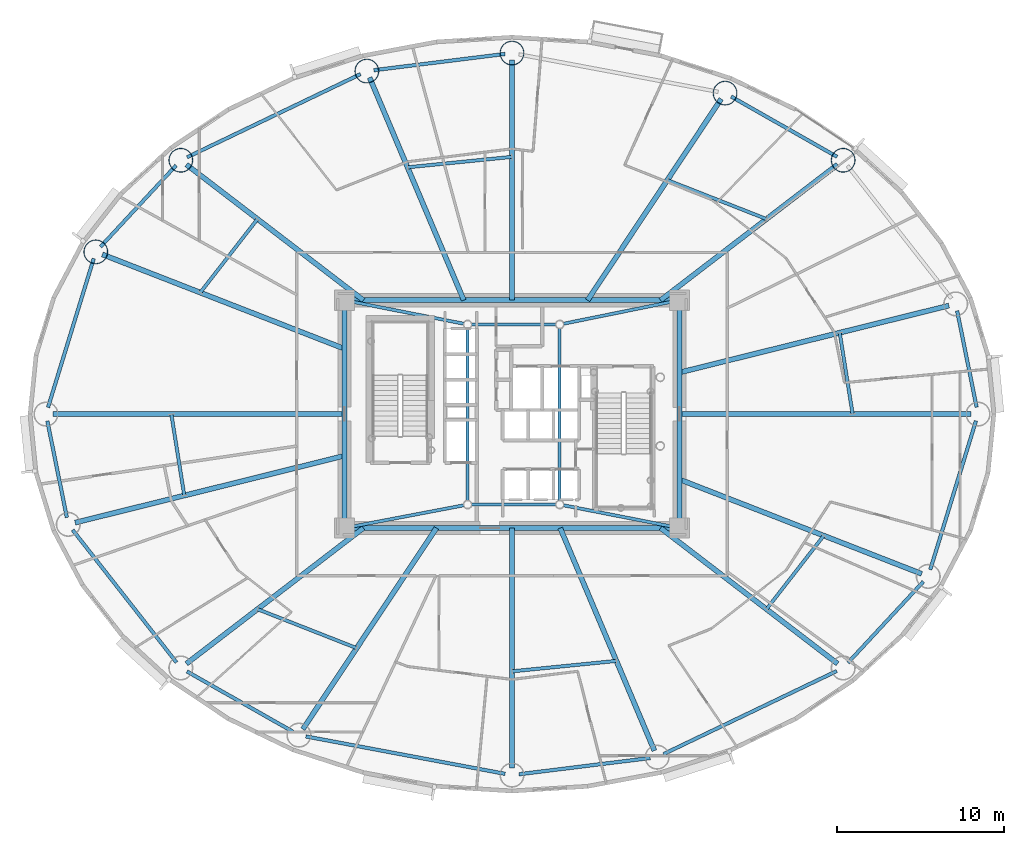
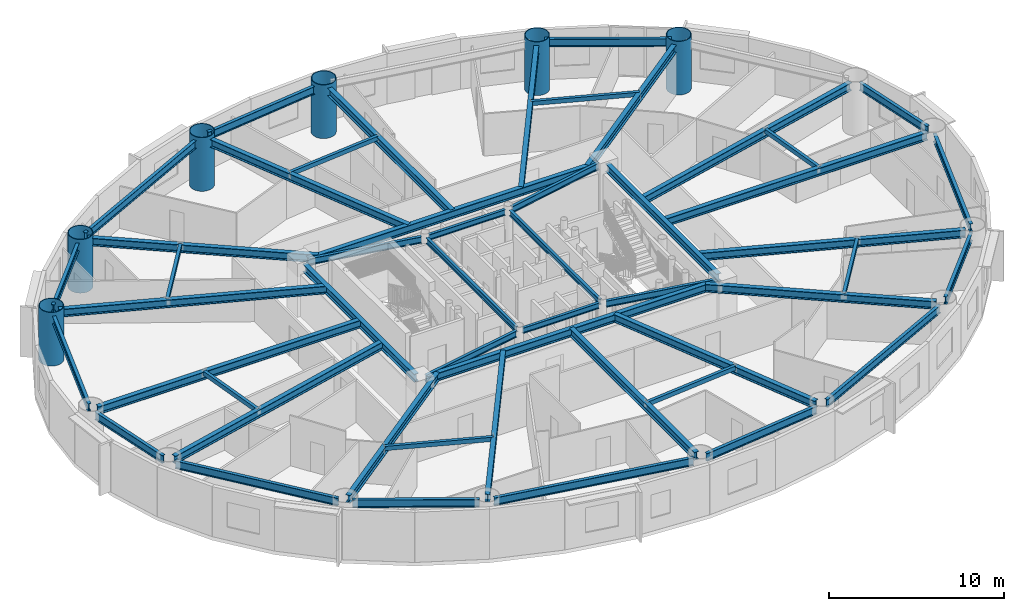
# One storey, part 3 of 21: 50 beams, 6 columns.
"""IFC4 building model written with IfcOpenShell, lengths in metres."""

from ifc_helpers import new_model, si_unit, direction, frame, origin, origin_2d, place, context, subcontext, project, spatial, hollow_rectangle, hollow_circle, i_section, extrude, material, material_profile, profile_set, type_object, element, save


model = new_model("IFC4")

# Units and contexts
model_context = context("Model", 3, precision=1e-05, world=origin(), true_north=direction((0.0, 1.0)))
body_context = subcontext(model_context, "Body", "Model", "MODEL_VIEW")
ifc_project = project(units=[si_unit("LENGTHUNIT", "METRE"), si_unit("AREAUNIT", "SQUARE_METRE"), si_unit("VOLUMEUNIT", "CUBIC_METRE"), si_unit("PLANEANGLEUNIT", "RADIAN"), si_unit("MASSUNIT", "GRAM", prefix="KILO")], contexts=[model_context])

# Site, building, storey
site_placement = place(None, origin())
site = spatial("IfcSite", under=ifc_project, at=site_placement, CompositionType="ELEMENT")
building_placement = place(site_placement, origin())
building = spatial("IfcBuilding", under=site, at=building_placement, Name="Linh Dai School and Residence Tower", CompositionType="ELEMENT")
storey_placement = place(building_placement, frame((0.0, 0.0, 134.699951171875)))
storey = spatial("IfcBuildingStorey", under=building, at=storey_placement, Name="L32", CompositionType="ELEMENT", Elevation=134.699951171875)

# Columns
ifc_material = material(Name="Structural Steel S355JR", Category="steel")
ifc_material_profile_1 = material_profile(ifc_material, hollow_circle(Radius=0.72509765625, WallThickness=0.0419921875, at=origin_2d()), Name="CHS 1450x42")
ifc_profile_set_1 = profile_set([ifc_material_profile_1], Name="Structural Steel S355JR")
column_type = type_object("IfcColumnType", Name="COL-MC3", PredefinedType="COLUMN", material=ifc_profile_set_1)
for number, where, z_axis, x_axis, name in (
    (1, (55.772705078125, 42.155517578125, 0.0), (0.0, 0.0, 1.0), (1.0, 0.0, 0.0), "L32 Perimeter CFT Mega-Column MC03"),
    (2, (48.721923828125, 46.1650390625, 0.0), (0.0, 0.0, 1.0), (1.0, 0.0, 0.0), "L32 Perimeter CFT Mega-Column MC04"),
    (3, (36.0, 48.554931640625, 0.0), (0.0, 0.0, 1.0), (1.0, 0.0, 0.0), "L32 Perimeter CFT Mega-Column MC05"),
    (4, (27.33447265625, 47.480712890625, 0.0), (0.0, 0.0, 1.0), (1.0, 0.0, 0.0), "L32 Perimeter CFT Mega-Column MC06"),
    (5, (16.227294921875, 42.155517578125, 0.0), (0.0, 0.0, 1.0), (1.0, 0.0, 0.0), "L32 Perimeter CFT Mega-Column MC07"),
    (6, (11.15087890625, 36.6875, 0.0), (0.0, 0.0, 1.0), (1.0, 0.0, 0.0), "L32 Perimeter CFT Mega-Column MC08"),
):
    element("IfcColumn", number, at=place(storey_placement, frame(where, z_axis=z_axis, x_axis=x_axis)), inside=storey, type_object=column_type, Name=name, PredefinedType="COLUMN", context=body_context, shape_type="SweptSolid", body=[
        extrude(hollow_circle(Radius=0.72509765625, WallThickness=0.0419921875, at=origin_2d()), origin(), (0.0, 0.0, 1.0), 3.75),
    ])

# Beams
ifc_material_profile_2 = material_profile(ifc_material, hollow_rectangle(XDim=0.199951171875, YDim=0.300048828125, WallThickness=0.010009765625, at=origin_2d()), Name="RHS 300x200x10")
ifc_profile_set_2 = profile_set([ifc_material_profile_2], Name="Structural Steel S355JR")
beam_type_1 = type_object("IfcBeamType", Name="BM-BX3", PredefinedType="BEAM", material=ifc_profile_set_2)
beam_1_placement = place(storey_placement, frame((56.337646484375, 27.0048828125, 3.35009765625), z_axis=(-0.157026901302, 0.987594325757, 0.0), x_axis=(-0.987594325757, -0.157026901302, 0.0)))
element("IfcBeam", 7, at=beam_1_placement, inside=storey, type_object=beam_type_1, Name="L32 Secondary Circumferential Floor Beam 01", PredefinedType="BEAM", context=body_context, shape_type="SweptSolid", body=[
    extrude(hollow_rectangle(XDim=0.199951171875, YDim=0.300048828125, WallThickness=0.010009765625, at=origin_2d()), origin(), (0.0, 0.0, 1.0), 4.91162109375),
])
beam_2_placement = place(storey_placement, frame((51.189453125, 38.64794921875, 3.35009765625), z_axis=(-0.930742146732, 0.365676163151, 0.0), x_axis=(-0.365676163151, -0.930742146732, 0.0)))
element("IfcBeam", 8, at=beam_2_placement, inside=storey, type_object=beam_type_1, Name="L32 Secondary Circumferential Floor Beam 02", PredefinedType="BEAM", context=body_context, shape_type="SweptSolid", body=[
    extrude(hollow_rectangle(XDim=0.199951171875, YDim=0.300048828125, WallThickness=0.010009765625, at=origin_2d()), origin(), (0.0, 0.0, 1.0), 6.349853515625),
])
beam_3_placement = place(storey_placement, frame((35.9951171875, 42.357421875, 3.35009765625), z_axis=(-0.995043370853, -0.099441893196, 0.0), x_axis=(0.099441893196, -0.995043370853, 0.0)))
element("IfcBeam", 9, at=beam_3_placement, inside=storey, type_object=beam_type_1, Name="L32 Secondary Circumferential Floor Beam 03", PredefinedType="BEAM", context=body_context, shape_type="SweptSolid", body=[
    extrude(hollow_rectangle(XDim=0.199951171875, YDim=0.300048828125, WallThickness=0.010009765625, at=origin_2d()), origin(), (0.0, 0.0, 1.0), 6.255615234375),
])
beam_4_placement = place(storey_placement, frame((20.802734375, 38.64208984375, 3.35009765625), z_axis=(-0.614369629322, -0.789018351223, 0.0), x_axis=(0.789018351223, -0.614369629322, 0.0)))
element("IfcBeam", 10, at=beam_4_placement, inside=storey, type_object=beam_type_1, Name="L32 Secondary Circumferential Floor Beam 04", PredefinedType="BEAM", context=body_context, shape_type="SweptSolid", body=[
    extrude(hollow_rectangle(XDim=0.199951171875, YDim=0.300048828125, WallThickness=0.010009765625, at=origin_2d()), origin(), (0.0, 0.0, 1.0), 5.553955078125),
])
beam_5_placement = place(storey_placement, frame((15.662353515625, 26.9951171875, 3.35009765625), z_axis=(0.157026901302, -0.987594325757, 0.0), x_axis=(0.987594325757, 0.157026901302, 0.0)))
element("IfcBeam", 11, at=beam_5_placement, inside=storey, type_object=beam_type_1, Name="L32 Secondary Circumferential Floor Beam 05", PredefinedType="BEAM", context=body_context, shape_type="SweptSolid", body=[
    extrude(hollow_rectangle(XDim=0.199951171875, YDim=0.300048828125, WallThickness=0.010009765625, at=origin_2d()), origin(), (0.0, 0.0, 1.0), 4.91162109375),
])
beam_6_placement = place(storey_placement, frame((20.810546875, 15.35205078125, 3.35009765625), z_axis=(0.930742146732, -0.365676163151, 0.0), x_axis=(0.365676163151, 0.930742146732, 0.0)))
element("IfcBeam", 12, at=beam_6_placement, inside=storey, type_object=beam_type_1, Name="L32 Secondary Circumferential Floor Beam 06", PredefinedType="BEAM", context=body_context, shape_type="SweptSolid", body=[
    extrude(hollow_rectangle(XDim=0.199951171875, YDim=0.300048828125, WallThickness=0.010009765625, at=origin_2d()), origin(), (0.0, 0.0, 1.0), 6.349853515625),
])
beam_7_placement = place(storey_placement, frame((36.0048828125, 11.642578125, 3.35009765625), z_axis=(0.995043370853, 0.099441893196, 0.0), x_axis=(-0.099441893196, 0.995043370853, 0.0)))
element("IfcBeam", 13, at=beam_7_placement, inside=storey, type_object=beam_type_1, Name="L32 Secondary Circumferential Floor Beam 07", PredefinedType="BEAM", context=body_context, shape_type="SweptSolid", body=[
    extrude(hollow_rectangle(XDim=0.199951171875, YDim=0.300048828125, WallThickness=0.010009765625, at=origin_2d()), origin(), (0.0, 0.0, 1.0), 6.255615234375),
])
beam_8_placement = place(storey_placement, frame((51.197265625, 15.35791015625, 3.35009765625), z_axis=(0.614369629322, 0.789018351223, 0.0), x_axis=(-0.789018351223, 0.614369629322, 0.0)))
element("IfcBeam", 14, at=beam_8_placement, inside=storey, type_object=beam_type_1, Name="L32 Secondary Circumferential Floor Beam 08", PredefinedType="BEAM", context=body_context, shape_type="SweptSolid", body=[
    extrude(hollow_rectangle(XDim=0.199951171875, YDim=0.300048828125, WallThickness=0.010009765625, at=origin_2d()), origin(), (0.0, 0.0, 1.0), 5.553955078125),
])
ifc_material_profile_3 = material_profile(ifc_material, i_section(OverallWidth=0.2099609375, OverallDepth=0.550048828125, WebThickness=0.010986328125, FlangeThickness=0.01708984375, FilletRadius=0.02392578125, at=origin_2d()), Name="IPE 550")
ifc_profile_set_3 = profile_set([ifc_material_profile_3], Name="Structural Steel S355JR")
beam_type_2 = type_object("IfcBeamType", Name="BM-RB55", PredefinedType="BEAM", material=ifc_profile_set_3)
beam_9_placement = place(storey_placement, frame((63.74169921875, 27.41162109375, 3.22509765625), z_axis=(-0.198441254313, 0.980112783605, 0.0), x_axis=(-0.980112783605, -0.198441254313, 0.0)))
element("IfcBeam", 15, at=beam_9_placement, inside=storey, type_object=beam_type_2, Name="L32 Perimeter Elliptical Ring Beam 01", PredefinedType="BEAM", context=body_context, shape_type="SweptSolid", body=[
    extrude(i_section(OverallWidth=0.2099609375, OverallDepth=0.550048828125, WebThickness=0.010986328125, FlangeThickness=0.01708984375, FilletRadius=0.02392578125, at=origin_2d()), origin(), (0.0, 0.0, 1.0), 5.874755859375),
])
beam_10_placement = place(storey_placement, frame((55.407470703125, 42.363037109375, 3.22509765625), z_axis=(-0.86927031475, 0.494337050902, 0.0), x_axis=(-0.494337050902, -0.86927031475, 0.0)))
element("IfcBeam", 16, at=beam_10_placement, inside=storey, type_object=beam_type_2, Name="L32 Perimeter Elliptical Ring Beam 03", PredefinedType="BEAM", context=body_context, shape_type="SweptSolid", body=[
    extrude(i_section(OverallWidth=0.2099609375, OverallDepth=0.550048828125, WebThickness=0.010986328125, FlangeThickness=0.01708984375, FilletRadius=0.02392578125, at=origin_2d()), origin(), (0.0, 0.0, 1.0), 7.270751953125),
])
beam_11_placement = place(storey_placement, frame((35.583251953125, 48.50341796875, 3.22509765625), z_axis=(-0.992399234854, -0.123059979933, 0.0), x_axis=(0.123059979933, -0.992399234854, 0.0)))
element("IfcBeam", 17, at=beam_11_placement, inside=storey, type_object=beam_type_2, Name="L32 Perimeter Elliptical Ring Beam 05", PredefinedType="BEAM", context=body_context, shape_type="SweptSolid", body=[
    extrude(i_section(OverallWidth=0.2099609375, OverallDepth=0.550048828125, WebThickness=0.010986328125, FlangeThickness=0.01708984375, FilletRadius=0.02392578125, at=origin_2d()), origin(), (0.0, 0.0, 1.0), 7.89208984375),
])
beam_12_placement = place(storey_placement, frame((26.955810546875, 47.299072265625, 3.22509765625), z_axis=(-0.901715153312, -0.432330640005, 0.0), x_axis=(0.432330640005, -0.901715153312, 0.0)))
element("IfcBeam", 18, at=beam_12_placement, inside=storey, type_object=beam_type_2, Name="L32 Perimeter Elliptical Ring Beam 06", PredefinedType="BEAM", context=body_context, shape_type="SweptSolid", body=[
    extrude(i_section(OverallWidth=0.2099609375, OverallDepth=0.550048828125, WebThickness=0.010986328125, FlangeThickness=0.01708984375, FilletRadius=0.02392578125, at=origin_2d()), origin(), (0.0, 0.0, 1.0), 11.477783203125),
])
beam_13_placement = place(storey_placement, frame((15.941650390625, 41.84765625, 3.22509765625), z_axis=(-0.680384623752, -0.732855213369, 0.0), x_axis=(0.732855213369, -0.680384623752, 0.0)))
element("IfcBeam", 19, at=beam_13_placement, inside=storey, type_object=beam_type_2, Name="L32 Perimeter Elliptical Ring Beam 07", PredefinedType="BEAM", context=body_context, shape_type="SweptSolid", body=[
    extrude(i_section(OverallWidth=0.2099609375, OverallDepth=0.550048828125, WebThickness=0.010986328125, FlangeThickness=0.01708984375, FilletRadius=0.02392578125, at=origin_2d()), origin(), (0.0, 0.0, 1.0), 6.62109375),
])
beam_14_placement = place(storey_placement, frame((11.027587890625, 36.2861328125, 3.22509765625), z_axis=(-0.29364097848, -0.95591577859, 0.0), x_axis=(0.95591577859, -0.29364097848, 0.0)))
element("IfcBeam", 20, at=beam_14_placement, inside=storey, type_object=beam_type_2, Name="L32 Perimeter Elliptical Ring Beam 08", PredefinedType="BEAM", context=body_context, shape_type="SweptSolid", body=[
    extrude(i_section(OverallWidth=0.2099609375, OverallDepth=0.550048828125, WebThickness=0.010986328125, FlangeThickness=0.01708984375, FilletRadius=0.02392578125, at=origin_2d()), origin(), (0.0, 0.0, 1.0), 9.29443359375),
])
beam_15_placement = place(storey_placement, frame((8.25830078125, 26.58837890625, 3.22509765625), z_axis=(0.198441254313, -0.980112783605, 0.0), x_axis=(0.980112783605, 0.198441254313, 0.0)))
element("IfcBeam", 21, at=beam_15_placement, inside=storey, type_object=beam_type_2, Name="L32 Perimeter Elliptical Ring Beam 09", PredefinedType="BEAM", context=body_context, shape_type="SweptSolid", body=[
    extrude(i_section(OverallWidth=0.2099609375, OverallDepth=0.550048828125, WebThickness=0.010986328125, FlangeThickness=0.01708984375, FilletRadius=0.02392578125, at=origin_2d()), origin(), (0.0, 0.0, 1.0), 5.874755859375),
])
beam_16_placement = place(storey_placement, frame((9.766357421875, 20.08837890625, 3.22509765625), z_axis=(0.616854830973, -0.787076945098, 0.0), x_axis=(0.787076945098, 0.616854830973, 0.0)))
element("IfcBeam", 22, at=beam_16_placement, inside=storey, type_object=beam_type_2, Name="L32 Perimeter Elliptical Ring Beam 10", PredefinedType="BEAM", context=body_context, shape_type="SweptSolid", body=[
    extrude(i_section(OverallWidth=0.2099609375, OverallDepth=0.550048828125, WebThickness=0.010986328125, FlangeThickness=0.01708984375, FilletRadius=0.02392578125, at=origin_2d()), origin(), (0.0, 0.0, 1.0), 10.053955078125),
])
beam_17_placement = place(storey_placement, frame((16.592529296875, 11.636962890625, 3.22509765625), z_axis=(0.86927031475, -0.494337050902, 0.0), x_axis=(0.494337050902, 0.86927031475, 0.0)))
element("IfcBeam", 23, at=beam_17_placement, inside=storey, type_object=beam_type_2, Name="L32 Perimeter Elliptical Ring Beam 11", PredefinedType="BEAM", context=body_context, shape_type="SweptSolid", body=[
    extrude(i_section(OverallWidth=0.2099609375, OverallDepth=0.550048828125, WebThickness=0.010986328125, FlangeThickness=0.01708984375, FilletRadius=0.02392578125, at=origin_2d()), origin(), (0.0, 0.0, 1.0), 7.270751953125),
])
beam_18_placement = place(storey_placement, frame((23.69091796875, 7.75732421875, 3.22509765625), z_axis=(0.982807507457, -0.184633158685, 0.0), x_axis=(0.184633158685, 0.982807507457, 0.0)))
element("IfcBeam", 24, at=beam_18_placement, inside=storey, type_object=beam_type_2, Name="L32 Perimeter Elliptical Ring Beam 12", PredefinedType="BEAM", context=body_context, shape_type="SweptSolid", body=[
    extrude(i_section(OverallWidth=0.2099609375, OverallDepth=0.550048828125, WebThickness=0.010986328125, FlangeThickness=0.01708984375, FilletRadius=0.02392578125, at=origin_2d()), origin(), (0.0, 0.0, 1.0), 12.104248046875),
])
beam_19_placement = place(storey_placement, frame((36.416748046875, 5.49658203125, 3.22509765625), z_axis=(0.992399234854, 0.123059979933, 0.0), x_axis=(-0.123059979933, 0.992399234854, 0.0)))
element("IfcBeam", 25, at=beam_19_placement, inside=storey, type_object=beam_type_2, Name="L32 Perimeter Elliptical Ring Beam 13", PredefinedType="BEAM", context=body_context, shape_type="SweptSolid", body=[
    extrude(i_section(OverallWidth=0.2099609375, OverallDepth=0.550048828125, WebThickness=0.010986328125, FlangeThickness=0.01708984375, FilletRadius=0.02392578125, at=origin_2d()), origin(), (0.0, 0.0, 1.0), 7.89208984375),
])
beam_20_placement = place(storey_placement, frame((45.044189453125, 6.700927734375, 3.22509765625), z_axis=(0.901715153312, 0.432330640005, 0.0), x_axis=(-0.432330640005, 0.901715153312, 0.0)))
element("IfcBeam", 26, at=beam_20_placement, inside=storey, type_object=beam_type_2, Name="L32 Perimeter Elliptical Ring Beam 14", PredefinedType="BEAM", context=body_context, shape_type="SweptSolid", body=[
    extrude(i_section(OverallWidth=0.2099609375, OverallDepth=0.550048828125, WebThickness=0.010986328125, FlangeThickness=0.01708984375, FilletRadius=0.02392578125, at=origin_2d()), origin(), (0.0, 0.0, 1.0), 11.477783203125),
])
beam_21_placement = place(storey_placement, frame((56.058349609375, 12.15234375, 3.22509765625), z_axis=(0.680384623752, 0.732855213369, 0.0), x_axis=(-0.732855213369, 0.680384623752, 0.0)))
element("IfcBeam", 27, at=beam_21_placement, inside=storey, type_object=beam_type_2, Name="L32 Perimeter Elliptical Ring Beam 15", PredefinedType="BEAM", context=body_context, shape_type="SweptSolid", body=[
    extrude(i_section(OverallWidth=0.2099609375, OverallDepth=0.550048828125, WebThickness=0.010986328125, FlangeThickness=0.01708984375, FilletRadius=0.02392578125, at=origin_2d()), origin(), (0.0, 0.0, 1.0), 6.62109375),
])
beam_22_placement = place(storey_placement, frame((60.972412109375, 17.7138671875, 3.22509765625), z_axis=(0.29364097848, 0.95591577859, 0.0), x_axis=(-0.95591577859, 0.29364097848, 0.0)))
element("IfcBeam", 28, at=beam_22_placement, inside=storey, type_object=beam_type_2, Name="L32 Perimeter Elliptical Ring Beam 16", PredefinedType="BEAM", context=body_context, shape_type="SweptSolid", body=[
    extrude(i_section(OverallWidth=0.2099609375, OverallDepth=0.550048828125, WebThickness=0.010986328125, FlangeThickness=0.01708984375, FilletRadius=0.02392578125, at=origin_2d()), origin(), (0.0, 0.0, 1.0), 9.29443359375),
])
ifc_material_profile_4 = material_profile(ifc_material, i_section(OverallWidth=0.300048828125, OverallDepth=0.550048828125, WebThickness=0.014892578125, FlangeThickness=0.029052734375, FilletRadius=0.027099609375, at=origin_2d()), Name="HEB 550")
ifc_profile_set_4 = profile_set([ifc_material_profile_4], Name="Structural Steel S355JR")
beam_type_3 = type_object("IfcBeamType", Name="BM-RG55", PredefinedType="BEAM", material=ifc_profile_set_4)
beam_23_placement = place(storey_placement, frame((26.419921875, 20.199951171875, 3.22509765625), z_axis=(1.0, 0.0, 0.0), x_axis=(0.0, 1.0, 0.0)))
element("IfcBeam", 29, at=beam_23_placement, inside=storey, type_object=beam_type_3, Name="L32 Core Perimeter Coupling Girder 1", PredefinedType="BEAM", context=body_context, shape_type="SweptSolid", body=[
    extrude(i_section(OverallWidth=0.300048828125, OverallDepth=0.550048828125, WebThickness=0.014892578125, FlangeThickness=0.029052734375, FilletRadius=0.027099609375, at=origin_2d()), origin(), (0.0, 0.0, 1.0), 19.16015625),
])
beam_24_placement = place(storey_placement, frame((46.0, 20.6201171875, 3.22509765625), z_axis=(0.0, 1.0, 0.0), x_axis=(-1.0, 0.0, 0.0)))
element("IfcBeam", 30, at=beam_24_placement, inside=storey, type_object=beam_type_3, Name="L32 Core Perimeter Coupling Girder 2", PredefinedType="BEAM", context=body_context, shape_type="SweptSolid", body=[
    extrude(i_section(OverallWidth=0.300048828125, OverallDepth=0.550048828125, WebThickness=0.014892578125, FlangeThickness=0.029052734375, FilletRadius=0.027099609375, at=origin_2d()), origin(), (0.0, 0.0, 1.0), 12.759765625),
])
beam_25_placement = place(storey_placement, frame((45.580078125, 33.800048828125, 3.22509765625), z_axis=(-1.0, 0.0, 0.0), x_axis=(0.0, -1.0, 0.0)))
element("IfcBeam", 31, at=beam_25_placement, inside=storey, type_object=beam_type_3, Name="L32 Core Perimeter Coupling Girder 3", PredefinedType="BEAM", context=body_context, shape_type="SweptSolid", body=[
    extrude(i_section(OverallWidth=0.300048828125, OverallDepth=0.550048828125, WebThickness=0.014892578125, FlangeThickness=0.029052734375, FilletRadius=0.027099609375, at=origin_2d()), origin(), (0.0, 0.0, 1.0), 19.16015625),
])
beam_26_placement = place(storey_placement, frame((26.0, 33.3798828125, 3.22509765625), z_axis=(0.0, -1.0, 0.0), x_axis=(1.0, 0.0, 0.0)))
element("IfcBeam", 32, at=beam_26_placement, inside=storey, type_object=beam_type_3, Name="L32 Core Perimeter Coupling Girder 4", PredefinedType="BEAM", context=body_context, shape_type="SweptSolid", body=[
    extrude(i_section(OverallWidth=0.300048828125, OverallDepth=0.550048828125, WebThickness=0.014892578125, FlangeThickness=0.029052734375, FilletRadius=0.027099609375, at=origin_2d()), origin(), (0.0, 0.0, 1.0), 12.759765625),
])
beam_27_placement = place(storey_placement, frame((46.0, 27.0, 3.22509765625), z_axis=(1.0, 0.0, 0.0), x_axis=(0.0, 1.0, 0.0)))
element("IfcBeam", 33, at=beam_27_placement, inside=storey, type_object=beam_type_3, Name="L32 Primary Radial Floor Girder 01", PredefinedType="BEAM", context=body_context, shape_type="SweptSolid", body=[
    extrude(i_section(OverallWidth=0.300048828125, OverallDepth=0.550048828125, WebThickness=0.014892578125, FlangeThickness=0.029052734375, FilletRadius=0.027099609375, at=origin_2d()), origin(), (0.0, 0.0, 1.0), 17.405029296875),
])
beam_28_placement = place(storey_placement, frame((46.0, 29.484130859375, 3.22509765625), z_axis=(0.970505338376, 0.241079630379, 0.0), x_axis=(-0.241079630379, 0.970505338376, 0.0)))
element("IfcBeam", 34, at=beam_28_placement, inside=storey, type_object=beam_type_3, Name="L32 Primary Radial Floor Girder 02", PredefinedType="BEAM", context=body_context, shape_type="SweptSolid", body=[
    extrude(i_section(OverallWidth=0.300048828125, OverallDepth=0.550048828125, WebThickness=0.014892578125, FlangeThickness=0.029052734375, FilletRadius=0.027099609375, at=origin_2d()), origin(), (0.0, 0.0, 1.0), 16.57373046875),
])
beam_29_placement = place(storey_placement, frame((44.87158203125, 33.800048828125, 3.22509765625), z_axis=(0.793678660795, 0.608337228352, 0.0), x_axis=(-0.608337228352, 0.793678660795, 0.0)))
element("IfcBeam", 35, at=beam_29_placement, inside=storey, type_object=beam_type_3, Name="L32 Primary Radial Floor Girder 03", PredefinedType="BEAM", context=body_context, shape_type="SweptSolid", body=[
    extrude(i_section(OverallWidth=0.300048828125, OverallDepth=0.550048828125, WebThickness=0.014892578125, FlangeThickness=0.029052734375, FilletRadius=0.027099609375, at=origin_2d()), origin(), (0.0, 0.0, 1.0), 13.314697265625),
])
beam_30_placement = place(storey_placement, frame((40.513916015625, 33.800048828125, 3.22509765625), z_axis=(0.553054392401, 0.833145148846, 0.0), x_axis=(-0.833145148846, 0.553054392401, 0.0)))
element("IfcBeam", 36, at=beam_30_placement, inside=storey, type_object=beam_type_3, Name="L32 Primary Radial Floor Girder 04", PredefinedType="BEAM", context=body_context, shape_type="SweptSolid", body=[
    extrude(i_section(OverallWidth=0.300048828125, OverallDepth=0.550048828125, WebThickness=0.014892578125, FlangeThickness=0.029052734375, FilletRadius=0.027099609375, at=origin_2d()), origin(), (0.0, 0.0, 1.0), 14.42138671875),
])
beam_31_placement = place(storey_placement, frame((36.0, 33.800048828125, 3.22509765625), z_axis=(0.0, 1.0, 0.0), x_axis=(-1.0, 0.0, 0.0)))
element("IfcBeam", 37, at=beam_31_placement, inside=storey, type_object=beam_type_3, Name="L32 Primary Radial Floor Girder 05", PredefinedType="BEAM", context=body_context, shape_type="SweptSolid", body=[
    extrude(i_section(OverallWidth=0.300048828125, OverallDepth=0.550048828125, WebThickness=0.014892578125, FlangeThickness=0.029052734375, FilletRadius=0.027099609375, at=origin_2d()), origin(), (0.0, 0.0, 1.0), 14.3349609375),
])
beam_32_placement = place(storey_placement, frame((33.122802734375, 33.800048828125, 3.22509765625), z_axis=(-0.389669233739, 0.920954878524, 0.0), x_axis=(-0.920954878524, -0.389669233739, 0.0)))
element("IfcBeam", 38, at=beam_32_placement, inside=storey, type_object=beam_type_3, Name="L32 Primary Radial Floor Girder 06", PredefinedType="BEAM", context=body_context, shape_type="SweptSolid", body=[
    extrude(i_section(OverallWidth=0.300048828125, OverallDepth=0.550048828125, WebThickness=0.014892578125, FlangeThickness=0.029052734375, FilletRadius=0.027099609375, at=origin_2d()), origin(), (0.0, 0.0, 1.0), 14.434814453125),
])
beam_33_placement = place(storey_placement, frame((27.12841796875, 33.800048828125, 3.22509765625), z_axis=(-0.793678660795, 0.608337228352, 0.0), x_axis=(-0.608337228352, -0.793678660795, 0.0)))
element("IfcBeam", 39, at=beam_33_placement, inside=storey, type_object=beam_type_3, Name="L32 Primary Radial Floor Girder 07", PredefinedType="BEAM", context=body_context, shape_type="SweptSolid", body=[
    extrude(i_section(OverallWidth=0.300048828125, OverallDepth=0.550048828125, WebThickness=0.014892578125, FlangeThickness=0.029052734375, FilletRadius=0.027099609375, at=origin_2d()), origin(), (0.0, 0.0, 1.0), 13.314697265625),
])
beam_34_placement = place(storey_placement, frame((26.0, 30.8984375, 3.22509765625), z_axis=(-0.931699338449, 0.363230426498, 0.0), x_axis=(-0.363230426498, -0.931699338449, 0.0)))
element("IfcBeam", 40, at=beam_34_placement, inside=storey, type_object=beam_type_3, Name="L32 Primary Radial Floor Girder 08", PredefinedType="BEAM", context=body_context, shape_type="SweptSolid", body=[
    extrude(i_section(OverallWidth=0.300048828125, OverallDepth=0.550048828125, WebThickness=0.014892578125, FlangeThickness=0.029052734375, FilletRadius=0.027099609375, at=origin_2d()), origin(), (0.0, 0.0, 1.0), 15.517578125),
])
beam_35_placement = place(storey_placement, frame((26.0, 27.0, 3.22509765625), z_axis=(-1.0, 0.0, 0.0), x_axis=(0.0, -1.0, 0.0)))
element("IfcBeam", 41, at=beam_35_placement, inside=storey, type_object=beam_type_3, Name="L32 Primary Radial Floor Girder 09", PredefinedType="BEAM", context=body_context, shape_type="SweptSolid", body=[
    extrude(i_section(OverallWidth=0.300048828125, OverallDepth=0.550048828125, WebThickness=0.014892578125, FlangeThickness=0.029052734375, FilletRadius=0.027099609375, at=origin_2d()), origin(), (0.0, 0.0, 1.0), 17.405029296875),
])
beam_36_placement = place(storey_placement, frame((26.0, 24.515869140625, 3.22509765625), z_axis=(-0.970505338376, -0.241079630379, 0.0), x_axis=(0.241079630379, -0.970505338376, 0.0)))
element("IfcBeam", 42, at=beam_36_placement, inside=storey, type_object=beam_type_3, Name="L32 Primary Radial Floor Girder 10", PredefinedType="BEAM", context=body_context, shape_type="SweptSolid", body=[
    extrude(i_section(OverallWidth=0.300048828125, OverallDepth=0.550048828125, WebThickness=0.014892578125, FlangeThickness=0.029052734375, FilletRadius=0.027099609375, at=origin_2d()), origin(), (0.0, 0.0, 1.0), 16.57373046875),
])
beam_37_placement = place(storey_placement, frame((27.12841796875, 20.199951171875, 3.22509765625), z_axis=(-0.793678660795, -0.608337228352, 0.0), x_axis=(0.608337228352, -0.793678660795, 0.0)))
element("IfcBeam", 43, at=beam_37_placement, inside=storey, type_object=beam_type_3, Name="L32 Primary Radial Floor Girder 11", PredefinedType="BEAM", context=body_context, shape_type="SweptSolid", body=[
    extrude(i_section(OverallWidth=0.300048828125, OverallDepth=0.550048828125, WebThickness=0.014892578125, FlangeThickness=0.029052734375, FilletRadius=0.027099609375, at=origin_2d()), origin(), (0.0, 0.0, 1.0), 13.314697265625),
])
beam_38_placement = place(storey_placement, frame((31.486083984375, 20.199951171875, 3.22509765625), z_axis=(-0.553054392401, -0.833145148846, 0.0), x_axis=(0.833145148846, -0.553054392401, 0.0)))
element("IfcBeam", 44, at=beam_38_placement, inside=storey, type_object=beam_type_3, Name="L32 Primary Radial Floor Girder 12", PredefinedType="BEAM", context=body_context, shape_type="SweptSolid", body=[
    extrude(i_section(OverallWidth=0.300048828125, OverallDepth=0.550048828125, WebThickness=0.014892578125, FlangeThickness=0.029052734375, FilletRadius=0.027099609375, at=origin_2d()), origin(), (0.0, 0.0, 1.0), 14.42138671875),
])
beam_39_placement = place(storey_placement, frame((36.0, 20.199951171875, 3.22509765625), z_axis=(0.0, -1.0, 0.0), x_axis=(1.0, 0.0, 0.0)))
element("IfcBeam", 45, at=beam_39_placement, inside=storey, type_object=beam_type_3, Name="L32 Primary Radial Floor Girder 13", PredefinedType="BEAM", context=body_context, shape_type="SweptSolid", body=[
    extrude(i_section(OverallWidth=0.300048828125, OverallDepth=0.550048828125, WebThickness=0.014892578125, FlangeThickness=0.029052734375, FilletRadius=0.027099609375, at=origin_2d()), origin(), (0.0, 0.0, 1.0), 14.3349609375),
])
beam_40_placement = place(storey_placement, frame((38.877197265625, 20.199951171875, 3.22509765625), z_axis=(0.389669233739, -0.920954878524, 0.0), x_axis=(0.920954878524, 0.389669233739, 0.0)))
element("IfcBeam", 46, at=beam_40_placement, inside=storey, type_object=beam_type_3, Name="L32 Primary Radial Floor Girder 14", PredefinedType="BEAM", context=body_context, shape_type="SweptSolid", body=[
    extrude(i_section(OverallWidth=0.300048828125, OverallDepth=0.550048828125, WebThickness=0.014892578125, FlangeThickness=0.029052734375, FilletRadius=0.027099609375, at=origin_2d()), origin(), (0.0, 0.0, 1.0), 14.434814453125),
])
beam_41_placement = place(storey_placement, frame((44.87158203125, 20.199951171875, 3.22509765625), z_axis=(0.793678660795, -0.608337228352, 0.0), x_axis=(0.608337228352, 0.793678660795, 0.0)))
element("IfcBeam", 47, at=beam_41_placement, inside=storey, type_object=beam_type_3, Name="L32 Primary Radial Floor Girder 15", PredefinedType="BEAM", context=body_context, shape_type="SweptSolid", body=[
    extrude(i_section(OverallWidth=0.300048828125, OverallDepth=0.550048828125, WebThickness=0.014892578125, FlangeThickness=0.029052734375, FilletRadius=0.027099609375, at=origin_2d()), origin(), (0.0, 0.0, 1.0), 13.314697265625),
])
beam_42_placement = place(storey_placement, frame((46.0, 23.1015625, 3.22509765625), z_axis=(0.931699338449, -0.363230426498, 0.0), x_axis=(0.363230426498, 0.931699338449, 0.0)))
element("IfcBeam", 48, at=beam_42_placement, inside=storey, type_object=beam_type_3, Name="L32 Primary Radial Floor Girder 16", PredefinedType="BEAM", context=body_context, shape_type="SweptSolid", body=[
    extrude(i_section(OverallWidth=0.300048828125, OverallDepth=0.550048828125, WebThickness=0.014892578125, FlangeThickness=0.029052734375, FilletRadius=0.027099609375, at=origin_2d()), origin(), (0.0, 0.0, 1.0), 15.517578125),
])
ifc_material_profile_5 = material_profile(ifc_material, i_section(OverallWidth=0.179931640625, OverallDepth=0.39990234375, WebThickness=0.008544921875, FlangeThickness=0.013427734375, FilletRadius=0.02099609375, at=origin_2d()), Name="IPE 400")
ifc_profile_set_5 = profile_set([ifc_material_profile_5], Name="Structural Steel S355JR")
beam_type_4 = type_object("IfcBeamType", Name="BM-SB40", PredefinedType="BEAM", material=ifc_profile_set_5)
beam_43_placement = place(storey_placement, frame((33.573974609375, 21.60009765625, 3.300048828125), z_axis=(1.0, 0.0, 0.0), x_axis=(0.0, 1.0, 0.0)))
element("IfcBeam", 49, at=beam_43_placement, inside=storey, type_object=beam_type_4, Name="L32 Core Mast Pier Tie Beam 1", PredefinedType="BEAM", context=body_context, shape_type="SweptSolid", body=[
    extrude(i_section(OverallWidth=0.179931640625, OverallDepth=0.39990234375, WebThickness=0.008544921875, FlangeThickness=0.013427734375, FilletRadius=0.02099609375, at=origin_2d()), origin(), (0.0, 0.0, 1.0), 5.052001953125),
])
beam_44_placement = place(storey_placement, frame((38.85009765625, 21.823974609375, 3.300048828125), z_axis=(0.0, 1.0, 0.0), x_axis=(-1.0, 0.0, 0.0)))
element("IfcBeam", 50, at=beam_44_placement, inside=storey, type_object=beam_type_4, Name="L32 Core Mast Pier Tie Beam 2", PredefinedType="BEAM", context=body_context, shape_type="SweptSolid", body=[
    extrude(i_section(OverallWidth=0.179931640625, OverallDepth=0.39990234375, WebThickness=0.008544921875, FlangeThickness=0.013427734375, FilletRadius=0.02099609375, at=origin_2d()), origin(), (0.0, 0.0, 1.0), 10.302001953125),
])
beam_45_placement = place(storey_placement, frame((38.6259765625, 32.35009765625, 3.300048828125), z_axis=(-1.0, 0.0, 0.0), x_axis=(0.0, -1.0, 0.0)))
element("IfcBeam", 51, at=beam_45_placement, inside=storey, type_object=beam_type_4, Name="L32 Core Mast Pier Tie Beam 3", PredefinedType="BEAM", context=body_context, shape_type="SweptSolid", body=[
    extrude(i_section(OverallWidth=0.179931640625, OverallDepth=0.39990234375, WebThickness=0.008544921875, FlangeThickness=0.013427734375, FilletRadius=0.02099609375, at=origin_2d()), origin(), (0.0, 0.0, 1.0), 5.052001953125),
])
beam_46_placement = place(storey_placement, frame((33.35009765625, 32.1259765625, 3.300048828125), z_axis=(0.0, -1.0, 0.0), x_axis=(1.0, 0.0, 0.0)))
element("IfcBeam", 52, at=beam_46_placement, inside=storey, type_object=beam_type_4, Name="L32 Core Mast Pier Tie Beam 4", PredefinedType="BEAM", context=body_context, shape_type="SweptSolid", body=[
    extrude(i_section(OverallWidth=0.179931640625, OverallDepth=0.39990234375, WebThickness=0.008544921875, FlangeThickness=0.013427734375, FilletRadius=0.02099609375, at=origin_2d()), origin(), (0.0, 0.0, 1.0), 10.302001953125),
])
ifc_material_profile_6 = material_profile(ifc_material, i_section(OverallWidth=0.18994140625, OverallDepth=0.449951171875, WebThickness=0.009521484375, FlangeThickness=0.0146484375, FilletRadius=0.02099609375, at=origin_2d()), Name="IPE 450")
ifc_profile_set_6 = profile_set([ifc_material_profile_6], Name="Structural Steel S355JR")
beam_type_5 = type_object("IfcBeamType", Name="BM-SB45", PredefinedType="BEAM", material=ifc_profile_set_6)
beam_47_placement = place(storey_placement, frame((26.41259765625, 20.278564453125, 3.275146484375), z_axis=(0.982337003886, 0.187120311019, 0.0), x_axis=(-0.187120311019, 0.982337003886, 0.0)))
element("IfcBeam", 53, at=beam_47_placement, inside=storey, type_object=beam_type_5, Name="L32 Core Corner-to-Mast Pier Beam 1", PredefinedType="BEAM", context=body_context, shape_type="SweptSolid", body=[
    extrude(i_section(OverallWidth=0.18994140625, OverallDepth=0.449951171875, WebThickness=0.009521484375, FlangeThickness=0.0146484375, FilletRadius=0.02099609375, at=origin_2d()), origin(), (0.0, 0.0, 1.0), 6.838134765625),
])
beam_48_placement = place(storey_placement, frame((45.587890625, 20.28076171875, 3.275146484375), z_axis=(-0.981368554414, 0.192134745446, 0.0), x_axis=(-0.192134745446, -0.981368554414, 0.0)))
element("IfcBeam", 54, at=beam_48_placement, inside=storey, type_object=beam_type_5, Name="L32 Core Corner-to-Mast Pier Beam 2", PredefinedType="BEAM", context=body_context, shape_type="SweptSolid", body=[
    extrude(i_section(OverallWidth=0.18994140625, OverallDepth=0.449951171875, WebThickness=0.009521484375, FlangeThickness=0.0146484375, FilletRadius=0.02099609375, at=origin_2d()), origin(), (0.0, 0.0, 1.0), 6.641845703125),
])
beam_49_placement = place(storey_placement, frame((45.58837890625, 33.716552734375, 3.275146484375), z_axis=(-0.980049140776, -0.19875533116, 0.0), x_axis=(0.19875533116, -0.980049140776, 0.0)))
element("IfcBeam", 55, at=beam_49_placement, inside=storey, type_object=beam_type_5, Name="L32 Core Corner-to-Mast Pier Beam 3", PredefinedType="BEAM", context=body_context, shape_type="SweptSolid", body=[
    extrude(i_section(OverallWidth=0.18994140625, OverallDepth=0.449951171875, WebThickness=0.009521484375, FlangeThickness=0.0146484375, FilletRadius=0.02099609375, at=origin_2d()), origin(), (0.0, 0.0, 1.0), 6.651611328125),
])
beam_50_placement = place(storey_placement, frame((26.412109375, 33.71875, 3.275146484375), z_axis=(0.981087482999, -0.193564848828, 0.0), x_axis=(0.193564848828, 0.981087482999, 0.0)))
element("IfcBeam", 56, at=beam_50_placement, inside=storey, type_object=beam_type_5, Name="L32 Core Corner-to-Mast Pier Beam 4", PredefinedType="BEAM", context=body_context, shape_type="SweptSolid", body=[
    extrude(i_section(OverallWidth=0.18994140625, OverallDepth=0.449951171875, WebThickness=0.009521484375, FlangeThickness=0.0146484375, FilletRadius=0.02099609375, at=origin_2d()), origin(), (0.0, 0.0, 1.0), 6.847412109375),
])

save(model, "model.ifc")
